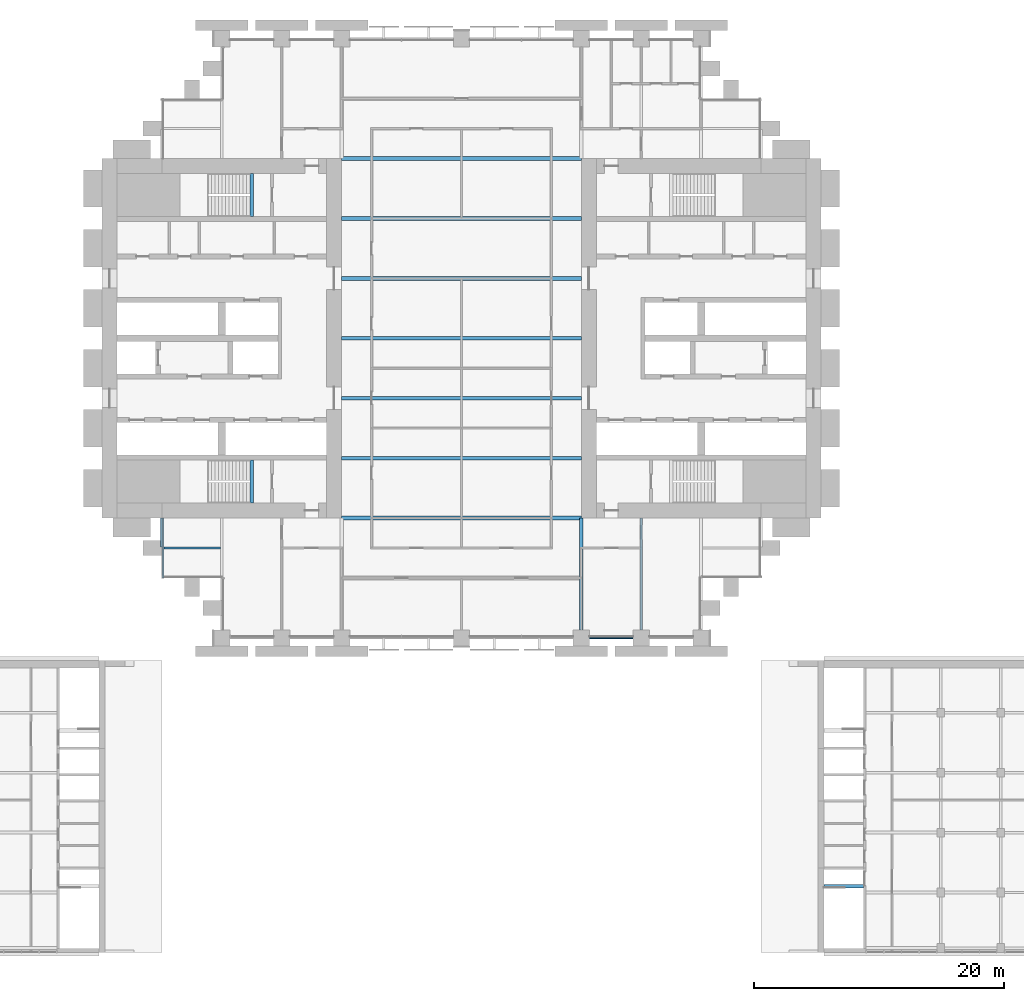
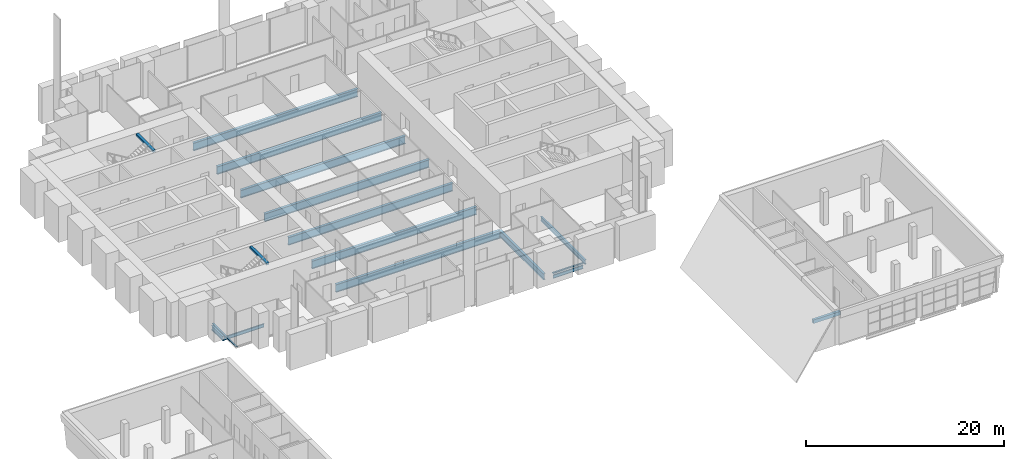
# One storey, part 6 of 22: 15 beams, 2 members, 2 elements without a shape of their own.
"""IFC4 building model written with IfcOpenShell, lengths in metres."""

import ifcopenshell
import ifcopenshell.guid

model = None  # the IFC model being written
_history = None  # IfcOwnerHistory: only IFC2X3 demands one
_inside = {}  # id of a spatial element -> (the spatial element, [elements in it])
_under = {}  # id of a project, library or spatial element -> (it, [spatial elements below it])
_declared = {}  # id of a project -> (the project, [libraries it declares])
_typed = {}  # id of a type object -> (the type object, [elements of that type])
_made_of = {}  # id of a material, layer set ... -> (it, [elements and type objects made of it])


def new_model(schema):
    """Start an empty IFC model of exactly this schema.

    Asked for "IFC4X3", IfcOpenShell would pick the latest addendum, in which some entities
    have other attributes; the version numbers below select the first issue.
    IFC2X3 requires an IfcOwnerHistory on every rooted entity: one is made here for all.
    """
    global model, _history
    if schema == "IFC4X3":
        model = ifcopenshell.file(schema_version=(4, 3, 0, 0))
    else:
        model = ifcopenshell.file(schema=schema)
    _inside.clear()
    _under.clear()
    _declared.clear()
    _typed.clear()
    _made_of.clear()
    _history = None
    if model.schema == "IFC2X3":
        org = make("IfcOrganization", Name="unknown")
        user = make(
            "IfcPersonAndOrganization",
            ThePerson=make("IfcPerson", FamilyName="unknown"),
            TheOrganization=org,
        )
        app = make(
            "IfcApplication",
            ApplicationDeveloper=org,
            Version="unknown",
            ApplicationFullName="unknown",
            ApplicationIdentifier="unknown",
        )
        _history = make(
            "IfcOwnerHistory",
            OwningUser=user,
            OwningApplication=app,
            ChangeAction="ADDED",
            CreationDate=0,
        )
    return model


def make(cls, **values):
    """One entity of the class cls with the attributes given. An attribute that is None is left unset."""
    return model.create_entity(
        cls, **{name: value for name, value in values.items() if value is not None}
    )


def rooted(cls, **values):
    """An entity with a GlobalId (a new one), such as an element, a storey or a relation."""
    return make(cls, GlobalId=ifcopenshell.guid.new(), OwnerHistory=_history, **values)


def si_unit(unit_type, name, prefix=None):
    """IfcSIUnit, for example si_unit("LENGTHUNIT", "METRE", prefix="MILLI")."""
    return make("IfcSIUnit", UnitType=unit_type, Prefix=prefix, Name=name)


def assignment(units):
    """IfcUnitAssignment: the units of a project."""
    return None if units is None else make("IfcUnitAssignment", Units=units)


def point(xyz):
    """IfcCartesianPoint."""
    return None if xyz is None else make("IfcCartesianPoint", Coordinates=xyz)


def direction(xyz):
    """IfcDirection."""
    return None if xyz is None else make("IfcDirection", DirectionRatios=xyz)


def frame(location, z_axis=None, x_axis=None):
    """IfcAxis2Placement3D, a coordinate frame: its origin and axes. An axis left out is left unset."""
    return make(
        "IfcAxis2Placement3D",
        Location=point(location),
        Axis=direction(z_axis),
        RefDirection=direction(x_axis),
    )


def frame_2d(location, x_axis=None):
    """IfcAxis2Placement2D, a coordinate frame in the plane: its origin and x axis."""
    return make(
        "IfcAxis2Placement2D", Location=point(location), RefDirection=direction(x_axis)
    )


def origin():
    """The frame at (0, 0, 0) with its axes left unset."""
    return frame((0.0, 0.0, 0.0))


def origin_2d():
    """The frame at (0, 0) in the plane with its x axis left unset."""
    return frame_2d((0.0, 0.0))


def place(relative_to, where):
    """IfcLocalPlacement: puts the frame where relative to a parent placement (None: the world)."""
    return make(
        "IfcLocalPlacement", PlacementRelTo=relative_to, RelativePlacement=where
    )


def context(
    kind, dimensions, precision=None, world=None, true_north=None, identifier=None
):
    """IfcGeometricRepresentationContext, for example the 3D "Model" context."""
    return make(
        "IfcGeometricRepresentationContext",
        ContextIdentifier=identifier,
        ContextType=kind,
        CoordinateSpaceDimension=dimensions,
        Precision=precision,
        WorldCoordinateSystem=world,
        TrueNorth=true_north,
    )


def subcontext(parent, identifier, kind, view, scale=None):
    """IfcGeometricRepresentationSubContext, for example "Body" below "Model"."""
    return make(
        "IfcGeometricRepresentationSubContext",
        ContextIdentifier=identifier,
        ContextType=kind,
        ParentContext=parent,
        TargetScale=scale,
        TargetView=view,
    )


def project(units=None, contexts=None):
    """IfcProject with its units and contexts."""
    return rooted(
        "IfcProject",
        Name="project",
        RepresentationContexts=contexts,
        UnitsInContext=assignment(units),
    )


def spatial(cls, under=None, at=None, **own):
    """A site, building, storey or space (cls), placed at a placement, below another one or the project."""
    s = rooted(cls, ObjectPlacement=at, **own)
    if under is not None:
        _under.setdefault(under.id(), (under, []))[1].append(s)
    return s


def profile(cls, at=None, kind="AREA", **sizes):
    """A parametric profile (cls). Its sizes go by their IFC names, for example OverallWidth=200.0."""
    return make(cls, ProfileType=kind, Position=at, **sizes)


def rectangle(**sizes):
    """IfcRectangleProfileDef."""
    return profile("IfcRectangleProfileDef", **sizes)


def i_section(**sizes):
    """IfcIShapeProfileDef."""
    return profile("IfcIShapeProfileDef", **sizes)


def extrude(swept, where, along, depth):
    """IfcExtrudedAreaSolid: the profile swept, set in the frame where, extruded along a direction by depth."""
    return make(
        "IfcExtrudedAreaSolid",
        SweptArea=swept,
        Position=where,
        ExtrudedDirection=direction(along),
        Depth=depth,
    )


def shape(context_of_items, identifier, shape_type, items):
    """IfcShapeRepresentation: the items that make up one representation, for example the "Body"."""
    return make(
        "IfcShapeRepresentation",
        ContextOfItems=context_of_items,
        RepresentationIdentifier=identifier,
        RepresentationType=shape_type,
        Items=items,
    )


def material(Name=None, Category=None):
    """IfcMaterial."""
    return make("IfcMaterial", Name=Name, Category=Category)


def material_profile(
    of_material, cross_section, Name=None, Category=None, Priority=None
):
    """IfcMaterialProfile: a cross section and its material."""
    return make(
        "IfcMaterialProfile",
        Name=Name,
        Material=of_material,
        Profile=cross_section,
        Priority=Priority,
        Category=Category,
    )


def profile_set(profiles, Name=None, composite=None):
    """IfcMaterialProfileSet."""
    return make(
        "IfcMaterialProfileSet",
        Name=Name,
        MaterialProfiles=profiles,
        CompositeProfile=composite,
    )


def made_of(thing, what):
    """Note that an element or type object is made of a material, layer set ...; save() writes the relation."""
    if what is not None:
        _made_of.setdefault(what.id(), (what, []))[1].append(thing)
    return thing


def type_object(cls, material=None, **own):
    """A type object (cls), such as IfcWallType, which elements share."""
    return made_of(rooted(cls, **own), material)


def element(
    cls,
    number,
    at=None,
    inside=None,
    cuts=None,
    type_object=None,
    material=None,
    context=None,
    identifier="Body",
    shape_type=None,
    held_by="IfcProductDefinitionShape",
    body=None,
    shapes=None,
    **own,
):
    """One element of the class cls, such as IfcWall. Its Tag is "e" and its number.

    at: its placement. inside: the storey or other place that contains it. cuts: it is an
    opening in that element (IfcRelVoidsElement). A single representation is given by context,
    identifier, shape_type and body (its items); several are given by shapes. held_by: the class
    of the entity that holds the representations. save() writes the other relations.
    """
    e = rooted(cls, Tag="e%d" % number, ObjectPlacement=at, **own)
    if body is not None:
        shapes = [shape(context, identifier, shape_type, body)]
    if shapes is not None:
        e.Representation = make(held_by, Representations=shapes)
    if inside is not None:
        _inside.setdefault(inside.id(), (inside, []))[1].append(e)
    if cuts is not None:
        rooted(
            "IfcRelVoidsElement", RelatingBuildingElement=cuts, RelatedOpeningElement=e
        )
    if type_object is not None:
        _typed.setdefault(type_object.id(), (type_object, []))[1].append(e)
    return made_of(e, material)


def aggregate(whole, parts):
    """IfcRelAggregates: a whole, such as a stair, and the parts it consists of."""
    return rooted("IfcRelAggregates", RelatingObject=whole, RelatedObjects=parts)


def save(model, path):
    """Write the relations noted so far, then the file.

    IfcRelAggregates (storeys below a building ...), IfcRelContainedInSpatialStructure (elements
    in a storey), IfcRelDefinesByType, IfcRelAssociatesMaterial and IfcRelDeclares: one each for
    every whole, place, type object, material and project.
    """
    for whole, parts in _under.values():
        aggregate(whole, parts)
    for where, things in _inside.values():
        rooted(
            "IfcRelContainedInSpatialStructure",
            RelatedElements=things,
            RelatingStructure=where,
        )
    for kind, things in _typed.values():
        rooted("IfcRelDefinesByType", RelatedObjects=things, RelatingType=kind)
    for what, things in _made_of.values():
        rooted("IfcRelAssociatesMaterial", RelatedObjects=things, RelatingMaterial=what)
    for by, libraries in _declared.values():
        rooted("IfcRelDeclares", RelatingContext=by, RelatedDefinitions=libraries)
    model.write(path)


model = new_model("IFC4")

# Units and contexts
model_context = context("Model", 3, precision=1e-05, world=origin(), true_north=direction((0.0, 1.0)))
body_context = subcontext(model_context, "Body", "Model", "MODEL_VIEW")
ifc_project = project(units=[si_unit("LENGTHUNIT", "METRE"), si_unit("AREAUNIT", "SQUARE_METRE"), si_unit("VOLUMEUNIT", "CUBIC_METRE"), si_unit("PLANEANGLEUNIT", "RADIAN"), si_unit("MASSUNIT", "GRAM", prefix="KILO")], contexts=[model_context])

# Site, building, storey
site_placement = place(None, origin())
site = spatial("IfcSite", under=ifc_project, at=site_placement, CompositionType="ELEMENT")
building_placement = place(site_placement, origin())
building = spatial("IfcBuilding", under=site, at=building_placement, Name="Baori Bourse Tower", CompositionType="ELEMENT")
storey_placement = place(building_placement, frame((0.0, 0.0, 25.800048828125)))
storey = spatial("IfcBuildingStorey", under=building, at=storey_placement, Name="L04", CompositionType="ELEMENT", Elevation=25.800048828125)

# Curtain wall, member
ifc_material_1 = material(Name="Pale anodised aluminium", Category="aluminium")
curtain_wall_type_1 = type_object("IfcCurtainWallType", Name="CW1 Curtain wall", PredefinedType="NOTDEFINED", material=ifc_material_1)
curtain_wall_1_placement = place(storey_placement, origin())
curtain_wall_1 = element("IfcCurtainWall", 1, at=curtain_wall_1_placement, inside=storey, type_object=curtain_wall_type_1, Name="Curtain wall CW1 L04 11", PredefinedType="NOTDEFINED")
ifc_material_2 = material(Name="Pale anodised aluminium", Category="aluminium")
ifc_material_profile_1 = material_profile(ifc_material_2, rectangle(XDim=0.199951171875, YDim=0.080078125, at=origin_2d()), Name="Transom 80x200")
ifc_profile_set_1 = profile_set([ifc_material_profile_1], Name="Pale anodised aluminium")
member_type_1 = type_object("IfcMemberType", Name="CW1 Curtain wall transom", PredefinedType="USERDEFINED", material=ifc_profile_set_1)
member_1_placement = place(storey_placement, frame((39.050048828125, 0.10009765625, 0.0400390625), z_axis=(1.0, 0.0, 0.0), x_axis=(0.0, 1.0, 0.0)))
member_1 = element("IfcMember", 2, at=member_1_placement, type_object=member_type_1, Name="Curtain wall CW1 sill rail", ObjectType="TRANSOM", PredefinedType="USERDEFINED", context=body_context, shape_type="SweptSolid", body=[
    extrude(rectangle(XDim=0.199951171875, YDim=0.080078125, at=origin_2d()), origin(), (0.0, 0.0, 1.0), 3.5),
])
aggregate(curtain_wall_1, [member_1])

ifc_material_3 = material(Name="Pale anodised aluminium", Category="aluminium")
curtain_wall_type_2 = type_object("IfcCurtainWallType", Name="CW2 Curtain wall", PredefinedType="NOTDEFINED", material=ifc_material_3)
curtain_wall_2_placement = place(storey_placement, origin())
curtain_wall_2 = element("IfcCurtainWall", 3, at=curtain_wall_2_placement, inside=storey, type_object=curtain_wall_type_2, Name="Curtain wall CW2 L04 8", PredefinedType="NOTDEFINED")
ifc_material_4 = material(Name="Pale anodised aluminium", Category="aluminium")
ifc_material_profile_2 = material_profile(ifc_material_4, rectangle(XDim=0.179931640625, YDim=0.070068359375, at=origin_2d()), Name="Transom 70x180")
ifc_profile_set_2 = profile_set([ifc_material_profile_2], Name="Pale anodised aluminium")
member_type_2 = type_object("IfcMemberType", Name="CW2 Curtain wall transom", PredefinedType="USERDEFINED", material=ifc_profile_set_2)
member_2_placement = place(storey_placement, frame((4.889892578125, 9.60009765625, 0.034912109375), z_axis=(0.0, -1.0, 0.0), x_axis=(1.0, 0.0, 0.0)))
member_2 = element("IfcMember", 4, at=member_2_placement, type_object=member_type_2, Name="Curtain wall CW2 sill rail", ObjectType="TRANSOM", PredefinedType="USERDEFINED", context=body_context, shape_type="SweptSolid", body=[
    extrude(rectangle(XDim=0.179931640625, YDim=0.070068359375, at=origin_2d()), origin(), (0.0, 0.0, 1.0), 4.800048828125),
])
aggregate(curtain_wall_2, [member_2])

# Beams
ifc_material_5 = material(Name="Steel A992 Gr 50", Category="steel")
ifc_material_profile_3 = material_profile(ifc_material_5, i_section(OverallWidth=0.21240234375, OverallDepth=0.54345703125, WebThickness=0.01318359375, FlangeThickness=0.021240234375, at=origin_2d()), Name="W21x83")
ifc_profile_set_3 = profile_set([ifc_material_profile_3], Name="Steel A992 Gr 50")
beam_type_1 = type_object("IfcBeamType", Name="Core bracket W21x83", PredefinedType="BEAM", material=ifc_profile_set_3)
beam_1_placement = place(storey_placement, frame((4.800048828125, 7.270263671875, -0.431884765625), z_axis=(0.0, 1.0, 0.0), x_axis=(-1.0, 0.0, 0.0)))
element("IfcBeam", 5, at=beam_1_placement, inside=storey, type_object=beam_type_1, Name="Core bracket L04", PredefinedType="BEAM", context=body_context, shape_type="SweptSolid", body=[
    extrude(i_section(OverallWidth=0.21240234375, OverallDepth=0.54345703125, WebThickness=0.01318359375, FlangeThickness=0.021240234375, at=origin_2d()), origin(), (0.0, 0.0, 1.0), 2.329833984375),
])
ifc_material_6 = material(Name="Steel A992 Gr 50", Category="steel")
ifc_material_profile_4 = material_profile(ifc_material_6, i_section(OverallWidth=0.140380859375, OverallDepth=0.40380859375, WebThickness=0.007080078125, FlangeThickness=0.01123046875, at=origin_2d()), Name="W16x31")
ifc_profile_set_4 = profile_set([ifc_material_profile_4], Name="Steel A992 Gr 50")
beam_type_2 = type_object("IfcBeamType", Name="Edge beam W16x31", PredefinedType="BEAM", material=ifc_profile_set_4)
beam_2_placement = place(storey_placement, frame((39.050048828125, 0.0, -0.362060546875), z_axis=(1.0, 0.0, 0.0), x_axis=(0.0, 1.0, 0.0)))
element("IfcBeam", 6, at=beam_2_placement, inside=storey, type_object=beam_type_2, Name="Edge beam L04", PredefinedType="BEAM", context=body_context, shape_type="SweptSolid", body=[
    extrude(i_section(OverallWidth=0.140380859375, OverallDepth=0.40380859375, WebThickness=0.007080078125, FlangeThickness=0.01123046875, at=origin_2d()), origin(), (0.0, 0.0, 1.0), 3.5),
])
ifc_material_7 = material(Name="Steel A992 Gr 50", Category="steel")
ifc_material_profile_5 = material_profile(ifc_material_7, i_section(OverallWidth=0.209228515625, OverallDepth=0.533447265625, WebThickness=0.01025390625, FlangeThickness=0.015625, at=origin_2d()), Name="W21x62")
ifc_profile_set_5 = profile_set([ifc_material_profile_5], Name="Steel A992 Gr 50")
beam_type_3 = type_object("IfcBeamType", Name="Floor beam W21x62", PredefinedType="BEAM", material=ifc_profile_set_5)
beam_3_placement = place(storey_placement, frame((43.199951171875, 0.64990234375, -0.4267578125), z_axis=(0.0, 1.0, 0.0), x_axis=(-1.0, 0.0, 0.0)))
element("IfcBeam", 7, at=beam_3_placement, inside=storey, type_object=beam_type_3, Name="Floor beam L04", PredefinedType="BEAM", context=body_context, shape_type="SweptSolid", body=[
    extrude(i_section(OverallWidth=0.209228515625, OverallDepth=0.533447265625, WebThickness=0.01025390625, FlangeThickness=0.015625, at=origin_2d()), origin(), (0.0, 0.0, 1.0), 8.9501953125),
])
ifc_material_8 = material(Name="Steel A992 Gr 50", Category="steel")
ifc_material_profile_6 = material_profile(ifc_material_8, i_section(OverallWidth=0.2998046875, OverallDepth=0.97021484375, WebThickness=0.01611328125, FlangeThickness=0.02099609375, at=origin_2d()), Name="W40x149")
ifc_profile_set_6 = profile_set([ifc_material_profile_6], Name="Steel A992 Gr 50")
beam_type_4 = type_object("IfcBeamType", Name="Floor beam W40x149", PredefinedType="BEAM", material=ifc_profile_set_6)
for number, where, z_axis, x_axis, name in (
    (8, (19.199951171875, 9.60009765625, -0.645263671875), (1.0, 0.0, 0.0), (0.0, 1.0, 0.0), "Floor beam L04"),
    (9, (19.199951171875, 14.39990234375, -0.645263671875), (1.0, 0.0, 0.0), (0.0, 1.0, 0.0), "Floor beam L04"),
    (10, (19.199951171875, 19.199951171875, -0.645263671875), (1.0, 0.0, 0.0), (0.0, 1.0, 0.0), "Floor beam L04"),
    (11, (19.199951171875, 24.0, -0.645263671875), (1.0, 0.0, 0.0), (0.0, 1.0, 0.0), "Floor beam L04"),
    (12, (19.199951171875, 28.800048828125, -0.645263671875), (1.0, 0.0, 0.0), (0.0, 1.0, 0.0), "Floor beam L04"),
    (13, (19.199951171875, 33.60009765625, -0.645263671875), (1.0, 0.0, 0.0), (0.0, 1.0, 0.0), "Floor beam L04"),
    (14, (19.199951171875, 38.39990234375, -0.645263671875), (1.0, 0.0, 0.0), (0.0, 1.0, 0.0), "Floor beam L04"),
):
    element("IfcBeam", number, at=place(storey_placement, frame(where, z_axis=z_axis, x_axis=x_axis)), inside=storey, type_object=beam_type_4, Name=name, PredefinedType="BEAM", context=body_context, shape_type="SweptSolid", body=[
        extrude(i_section(OverallWidth=0.2998046875, OverallDepth=0.97021484375, WebThickness=0.01611328125, FlangeThickness=0.02099609375, at=origin_2d()), origin(), (0.0, 0.0, 1.0), 19.199951171875),
    ])
ifc_material_9 = material(Name="Steel A992 Gr 50", Category="steel")
ifc_material_profile_7 = material_profile(ifc_material_9, i_section(OverallWidth=0.2666015625, OverallDepth=0.7568359375, WebThickness=0.013916015625, FlangeThickness=0.019287109375, at=origin_2d()), Name="W30x108")
ifc_profile_set_7 = profile_set([ifc_material_profile_7], Name="Steel A992 Gr 50")
beam_type_5 = type_object("IfcBeamType", Name="Girder W30x108", PredefinedType="BEAM", material=ifc_profile_set_7)
beam_4_placement = place(storey_placement, frame((38.39990234375, 0.64990234375, -0.53857421875), z_axis=(0.0, 1.0, 0.0), x_axis=(-1.0, 0.0, 0.0)))
element("IfcBeam", 15, at=beam_4_placement, inside=storey, type_object=beam_type_5, Name="Girder L04", PredefinedType="BEAM", context=body_context, shape_type="SweptSolid", body=[
    extrude(i_section(OverallWidth=0.2666015625, OverallDepth=0.7568359375, WebThickness=0.013916015625, FlangeThickness=0.019287109375, at=origin_2d()), origin(), (0.0, 0.0, 1.0), 8.9501953125),
])
ifc_material_10 = material(Name="Concrete f'c 50 MPa", Category="concrete")
ifc_material_profile_8 = material_profile(ifc_material_10, rectangle(XDim=0.300048828125, YDim=0.25, at=origin_2d()), Name="RC 300x250")
ifc_profile_set_8 = profile_set([ifc_material_profile_8], Name="Concrete f'c 50 MPa")
beam_type_6 = type_object("IfcBeamType", Name="Stair nib beam RC 300x250", PredefinedType="BEAM", material=ifc_profile_set_8)
for number, where, z_axis, x_axis, name in (
    (16, (12.0, 10.800048828125, 4.114990234375), (0.0, 1.0, 0.0), (-1.0, 0.0, 0.0), "Stair WA nib beam L05"),
    (17, (12.0, 33.75, 4.114990234375), (0.0, 1.0, 0.0), (-1.0, 0.0, 0.0), "Stair WB nib beam L05"),
):
    element("IfcBeam", number, at=place(storey_placement, frame(where, z_axis=z_axis, x_axis=x_axis)), inside=storey, type_object=beam_type_6, Name=name, PredefinedType="BEAM", context=body_context, shape_type="SweptSolid", body=[
        extrude(rectangle(XDim=0.300048828125, YDim=0.25, at=origin_2d()), origin(), (0.0, 0.0, 1.0), 3.449951171875),
    ])
ifc_material_11 = material(Name="Concrete f'c 40 MPa", Category="concrete")
ifc_material_profile_9 = material_profile(ifc_material_11, rectangle(XDim=0.300048828125, YDim=0.449951171875, at=origin_2d()), Name="Stair trimmer beam 300x450")
ifc_profile_set_9 = profile_set([ifc_material_profile_9], Name="Concrete f'c 40 MPa")
beam_type_7 = type_object("IfcBeamType", Name="Stair trimmer beam 300x450", PredefinedType="BEAM", material=ifc_profile_set_9)
beam_5_placement = place(storey_placement, frame((57.85009765625, -19.889892578125, -0.385009765625), z_axis=(1.0, 0.0, 0.0), x_axis=(0.0, 1.0, 0.0)))
element("IfcBeam", 18, at=beam_5_placement, inside=storey, type_object=beam_type_7, Name="wing/L04/Etrimmer/002", PredefinedType="BEAM", context=body_context, shape_type="SweptSolid", body=[
    extrude(rectangle(XDim=0.300048828125, YDim=0.449951171875, at=origin_2d()), origin(), (0.0, 0.0, 1.0), 3.14990234375),
])
ifc_material_12 = material(Name="Steel A992 Gr 50", Category="steel")
ifc_material_profile_10 = material_profile(ifc_material_12, i_section(OverallWidth=0.140380859375, OverallDepth=0.40380859375, WebThickness=0.007080078125, FlangeThickness=0.01123046875, at=origin_2d()), Name="W16x31")
ifc_profile_set_10 = profile_set([ifc_material_profile_10], Name="Steel A992 Gr 50")
beam_type_8 = type_object("IfcBeamType", Name="Trimmer beam W16x31", PredefinedType="BEAM", material=ifc_profile_set_10)
beam_6_placement = place(storey_placement, frame((4.800048828125, 7.199951171875, -0.362060546875), z_axis=(1.0, 0.0, 0.0), x_axis=(0.0, 1.0, 0.0)))
element("IfcBeam", 19, at=beam_6_placement, inside=storey, type_object=beam_type_8, Name="Trimmer beam L04", PredefinedType="BEAM", context=body_context, shape_type="SweptSolid", body=[
    extrude(i_section(OverallWidth=0.140380859375, OverallDepth=0.40380859375, WebThickness=0.007080078125, FlangeThickness=0.01123046875, at=origin_2d()), origin(), (0.0, 0.0, 1.0), 4.68603515625),
])

save(model, "model.ifc")
